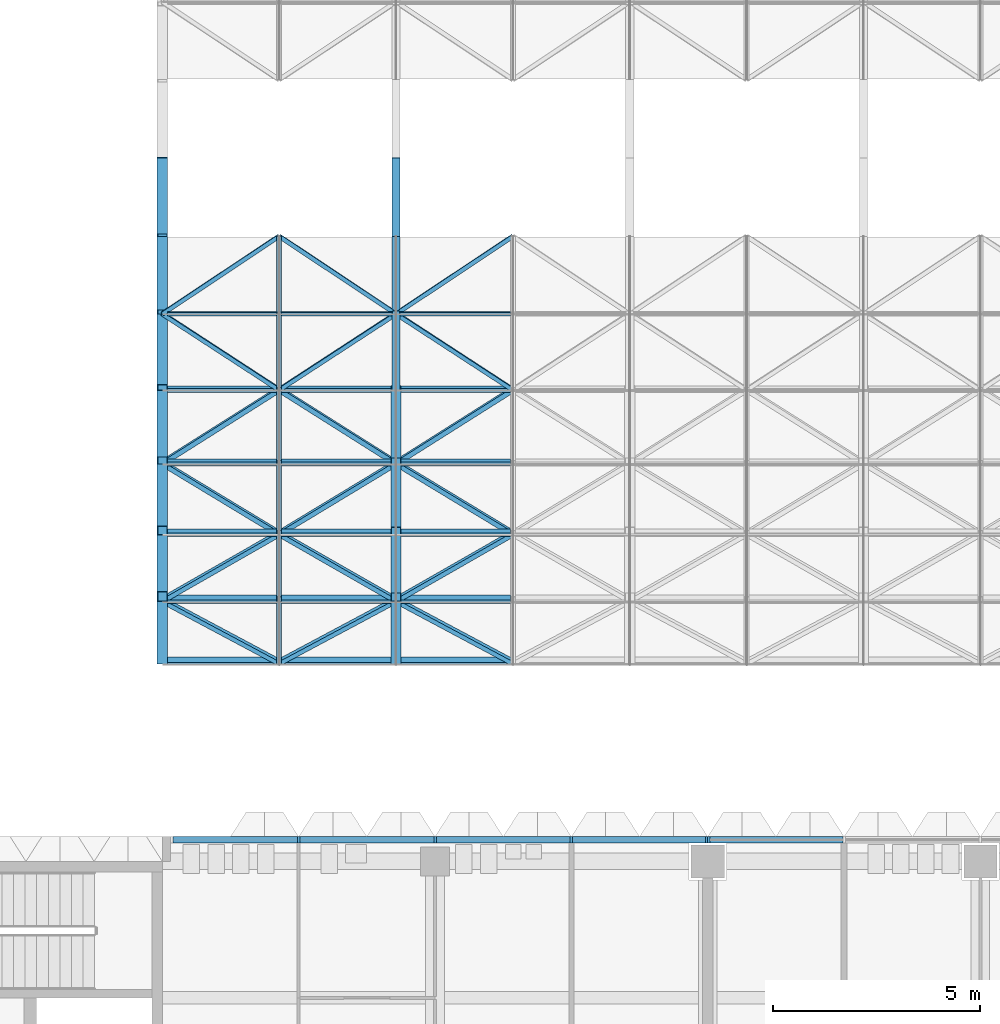
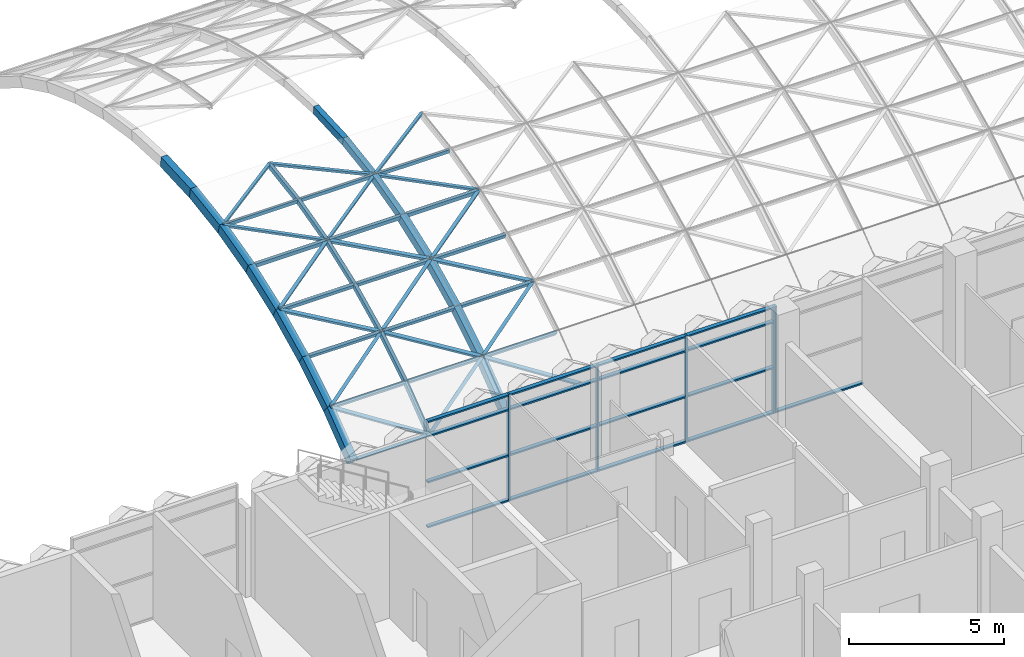
# One storey, part 10 of 85: 78 members, 2 elements without a shape of their own.
"""IFC4 building model written with IfcOpenShell, lengths in metres."""

from ifc_helpers import new_model, si_unit, direction, frame, origin, origin_2d, place, context, subcontext, project, spatial, rectangle, hollow_rectangle, extrude, material, material_profile, profile_set, type_object, element, aggregate, save


model = new_model("IFC4")

# Units and contexts
model_context = context("Model", 3, precision=1e-05, world=origin(), true_north=direction((0.0, 1.0)))
body_context = subcontext(model_context, "Body", "Model", "MODEL_VIEW")
ifc_project = project(units=[si_unit("LENGTHUNIT", "METRE"), si_unit("AREAUNIT", "SQUARE_METRE"), si_unit("VOLUMEUNIT", "CUBIC_METRE"), si_unit("PLANEANGLEUNIT", "RADIAN"), si_unit("MASSUNIT", "GRAM", prefix="KILO")], contexts=[model_context])

# Site, building, storey
site_placement = place(None, origin())
site = spatial("IfcSite", under=ifc_project, at=site_placement, CompositionType="ELEMENT")
building_placement = place(site_placement, origin())
building = spatial("IfcBuilding", under=site, at=building_placement, Name="Lantern Court Research Institute", CompositionType="ELEMENT")
storey_placement = place(building_placement, frame((0.0, 0.0, 18.89990234375)))
storey = spatial("IfcBuildingStorey", under=building, at=storey_placement, Name="L04", CompositionType="ELEMENT", Elevation=18.89990234375)

# Members
ifc_material_1 = material(Name="Structural steel S355", Category="steel")
ifc_material_profile_1 = material_profile(ifc_material_1, hollow_rectangle(XDim=0.25, YDim=0.39990234375, WallThickness=0.01611328125, at=origin_2d()), Name="Gable arch RHS 400 x 250 x 16")
ifc_profile_set_1 = profile_set([ifc_material_profile_1], Name="Structural steel S355")
member_type_1 = type_object("IfcMemberType", Name="Gable arch RHS 400 x 250 x 16", PredefinedType="RAFTER", material=ifc_profile_set_1)
member_1_placement = place(storey_placement, frame((39.60009765625, 28.000244140625, 0.037109375), z_axis=(0.0, 0.793329505358, 0.608792490039), x_axis=(-1.0, 0.0, 0.0)))
element("IfcMember", 1, at=member_1_placement, inside=storey, type_object=member_type_1, Name="Gable arch", PredefinedType="RAFTER", context=body_context, shape_type="SweptSolid", body=[
    extrude(hollow_rectangle(XDim=0.25, YDim=0.39990234375, WallThickness=0.01611328125, at=origin_2d()), origin(), (0.0, 0.0, 1.0), 1.90234375),
])
member_2_placement = place(storey_placement, frame((39.60009765625, 29.492919921875, 1.183837890625), z_axis=(0.0, 0.850497510265, 0.525979072809), x_axis=(-1.0, 0.0, 0.0)))
element("IfcMember", 2, at=member_2_placement, inside=storey, type_object=member_type_1, Name="Gable arch", PredefinedType="RAFTER", context=body_context, shape_type="SweptSolid", body=[
    extrude(hollow_rectangle(XDim=0.25, YDim=0.39990234375, WallThickness=0.01611328125, at=origin_2d()), origin(), (0.0, 0.0, 1.0), 1.902587890625),
])
member_3_placement = place(storey_placement, frame((39.60009765625, 31.09326171875, 2.1748046875), z_axis=(0.0, 0.899099966644, 0.437743360865), x_axis=(-1.0, 0.0, 0.0)))
element("IfcMember", 3, at=member_3_placement, inside=storey, type_object=member_type_1, Name="Gable arch", PredefinedType="RAFTER", context=body_context, shape_type="SweptSolid", body=[
    extrude(hollow_rectangle(XDim=0.25, YDim=0.39990234375, WallThickness=0.01611328125, at=origin_2d()), origin(), (0.0, 0.0, 1.0), 1.90234375),
])
for number, where, z_axis, x_axis, name in (
    (4, (39.60009765625, 32.78515625, 2.999755859375), (0.0, 0.938535764551, 0.345182008018), (-1.0, 0.0, 0.0), "Gable arch"),
    (5, (39.60009765625, 34.551513671875, 3.650390625), (0.0, 0.968482319701, 0.249082308538), (-1.0, 0.0, 0.0), "Gable arch"),
    (6, (39.60009765625, 36.374267578125, 4.120361328125), (0.0, 0.988606386846, 0.150523791767), (-1.0, 0.0, 0.0), "Gable arch"),
):
    element("IfcMember", number, at=place(storey_placement, frame(where, z_axis=z_axis, x_axis=x_axis)), inside=storey, type_object=member_type_1, Name=name, PredefinedType="RAFTER", context=body_context, shape_type="SweptSolid", body=[
        extrude(hollow_rectangle(XDim=0.25, YDim=0.39990234375, WallThickness=0.01611328125, at=origin_2d()), origin(), (0.0, 0.0, 1.0), 1.902587890625),
    ])
member_4_placement = place(storey_placement, frame((39.60009765625, 38.235107421875, 4.404541015625), z_axis=(0.0, 0.998733707136, 0.050308868311), x_axis=(-1.0, 0.0, 0.0)))
element("IfcMember", 7, at=member_4_placement, inside=storey, type_object=member_type_1, Name="Gable arch", PredefinedType="RAFTER", context=body_context, shape_type="SweptSolid", body=[
    extrude(hollow_rectangle(XDim=0.25, YDim=0.39990234375, WallThickness=0.01611328125, at=origin_2d()), origin(), (0.0, 0.0, 1.0), 1.90234375),
])
ifc_material_2 = material(Name="Structural steel S355", Category="steel")
ifc_material_profile_2 = material_profile(ifc_material_2, hollow_rectangle(XDim=0.080078125, YDim=0.159912109375, WallThickness=0.00634765625, at=origin_2d()), Name="Gridshell crown purlin RHS 160 x 80 x 6.3")
ifc_profile_set_2 = profile_set([ifc_material_profile_2], Name="Structural steel S355")
member_type_2 = type_object("IfcMemberType", Name="Gridshell crown purlin RHS 160 x 80 x 6.3", PredefinedType="PURLIN", material=ifc_profile_set_2)
member_5_placement = place(storey_placement, frame((39.72509765625, 36.360107421875, 4.23974609375), z_axis=(1.0, 0.0, 0.0), x_axis=(0.0, 0.979787176632, 0.200042716708)))
element("IfcMember", 8, at=member_5_placement, inside=storey, type_object=member_type_2, Name="Gridshell purlin", PredefinedType="PURLIN", context=body_context, shape_type="SweptSolid", body=[
    extrude(hollow_rectangle(XDim=0.080078125, YDim=0.159912109375, WallThickness=0.00634765625, at=origin_2d()), origin(), (0.0, 0.0, 1.0), 2.6435546875),
])
member_6_placement = place(storey_placement, frame((42.488525390625, 36.360107421875, 4.23974609375), z_axis=(1.0, 0.0, 0.0), x_axis=(0.0, 0.979787176632, 0.200042716708)))
element("IfcMember", 9, at=member_6_placement, inside=storey, type_object=member_type_2, Name="Gridshell purlin", PredefinedType="PURLIN", context=body_context, shape_type="SweptSolid", body=[
    extrude(hollow_rectangle(XDim=0.080078125, YDim=0.159912109375, WallThickness=0.00634765625, at=origin_2d()), origin(), (0.0, 0.0, 1.0), 2.668701171875),
])
member_7_placement = place(storey_placement, frame((45.357177734375, 36.360107421875, 4.23974609375), z_axis=(1.0, 0.0, 0.0), x_axis=(0.0, 0.979787176632, 0.200042716708)))
element("IfcMember", 10, at=member_7_placement, inside=storey, type_object=member_type_2, Name="Gridshell purlin", PredefinedType="PURLIN", context=body_context, shape_type="SweptSolid", body=[
    extrude(hollow_rectangle(XDim=0.080078125, YDim=0.159912109375, WallThickness=0.00634765625, at=origin_2d()), origin(), (0.0, 0.0, 1.0), 2.66845703125),
])
ifc_material_3 = material(Name="Structural steel S355", Category="steel")
ifc_material_profile_3 = material_profile(ifc_material_3, hollow_rectangle(XDim=0.199951171875, YDim=0.300048828125, WallThickness=0.012451171875, at=origin_2d()), Name="Gridshell crown rib RHS 300 x 200 x 12.5")
ifc_profile_set_3 = profile_set([ifc_material_profile_3], Name="Structural steel S355")
member_type_3 = type_object("IfcMemberType", Name="Gridshell crown rib RHS 300 x 200 x 12.5", PredefinedType="RAFTER", material=ifc_profile_set_3)
for number, where, z_axis, x_axis, name in (
    (11, (45.257080078125, 34.5390625, 3.698974609375), (0.0, 0.968482319701, 0.249082308538), (-1.0, 0.0, 0.0), "Gridshell rib"),
    (12, (45.257080078125, 36.36669921875, 4.169677734375), (0.0, 0.988606386846, 0.150523791767), (-1.0, 0.0, 0.0), "Gridshell rib"),
    (13, (45.257080078125, 38.232421875, 4.45458984375), (0.0, 0.998734031897, 0.050302420725), (-1.0, 0.0, 0.0), "Gridshell rib"),
):
    element("IfcMember", number, at=place(storey_placement, frame(where, z_axis=z_axis, x_axis=x_axis)), inside=storey, type_object=member_type_3, Name=name, PredefinedType="RAFTER", context=body_context, shape_type="SweptSolid", body=[
        extrude(hollow_rectangle(XDim=0.199951171875, YDim=0.300048828125, WallThickness=0.012451171875, at=origin_2d()), origin(), (0.0, 0.0, 1.0), 1.902587890625),
    ])
ifc_material_4 = material(Name="Structural steel S355", Category="steel")
ifc_material_profile_4 = material_profile(ifc_material_4, hollow_rectangle(XDim=0.10009765625, YDim=0.10009765625, WallThickness=0.00634765625, at=origin_2d()), Name="Gridshell diagonal RHS 100 x 100 x 6.3")
ifc_profile_set_4 = profile_set([ifc_material_profile_4], Name="Structural steel S355")
member_type_4 = type_object("IfcMemberType", Name="Gridshell diagonal RHS 100 x 100 x 6.3", PredefinedType="BRACE", material=ifc_profile_set_4)
for number, where, z_axis, x_axis, name in (
    (14, (42.428466796875, 34.51416015625, 3.795654296875), (-0.829753310349, 0.540539338213, 0.139020386309), (-0.558130310777, -0.803595810166, -0.20669864556), "Gridshell diagonal"),
    (15, (39.60009765625, 36.351806640625, 4.2685546875), (0.829780025572, 0.551730300991, 0.084016570565), (-0.558090591389, 0.820331795055, 0.124862475647), "Gridshell diagonal"),
):
    element("IfcMember", number, at=place(storey_placement, frame(where, z_axis=z_axis, x_axis=x_axis)), inside=storey, type_object=member_type_4, Name=name, PredefinedType="BRACE", context=body_context, shape_type="SweptSolid", body=[
        extrude(hollow_rectangle(XDim=0.10009765625, YDim=0.10009765625, WallThickness=0.00634765625, at=origin_2d()), origin(), (0.0, 0.0, 1.0), 3.40869140625),
    ])
member_8_placement = place(storey_placement, frame((42.428466796875, 34.51416015625, 3.795654296875), z_axis=(0.829775619624, 0.540507215717, 0.139012124779), x_axis=(-0.558097142967, 0.803618783295, 0.206698887629)))
element("IfcMember", 16, at=member_8_placement, inside=storey, type_object=member_type_4, Name="Gridshell diagonal", PredefinedType="BRACE", context=body_context, shape_type="SweptSolid", body=[
    extrude(hollow_rectangle(XDim=0.10009765625, YDim=0.10009765625, WallThickness=0.00634765625, at=origin_2d()), origin(), (0.0, 0.0, 1.0), 3.408935546875),
])
member_9_placement = place(storey_placement, frame((45.257080078125, 36.351806640625, 4.2685546875), z_axis=(-0.82980233239, 0.551697511341, 0.084011577412), x_axis=(-0.558057423637, -0.82035435083, -0.124862528398)))
element("IfcMember", 17, at=member_9_placement, inside=storey, type_object=member_type_4, Name="Gridshell diagonal", PredefinedType="BRACE", context=body_context, shape_type="SweptSolid", body=[
    extrude(hollow_rectangle(XDim=0.10009765625, YDim=0.10009765625, WallThickness=0.00634765625, at=origin_2d()), origin(), (0.0, 0.0, 1.0), 3.40869140625),
])
member_10_placement = place(storey_placement, frame((48.085693359375, 34.51416015625, 3.795654296875), z_axis=(-0.829775619624, 0.540507215717, 0.139012124779), x_axis=(-0.558097142967, -0.803618783295, -0.206698887629)))
element("IfcMember", 18, at=member_10_placement, inside=storey, type_object=member_type_4, Name="Gridshell diagonal", PredefinedType="BRACE", context=body_context, shape_type="SweptSolid", body=[
    extrude(hollow_rectangle(XDim=0.10009765625, YDim=0.10009765625, WallThickness=0.00634765625, at=origin_2d()), origin(), (0.0, 0.0, 1.0), 3.408935546875),
])
member_11_placement = place(storey_placement, frame((45.257080078125, 36.351806640625, 4.2685546875), z_axis=(0.82980233239, 0.551697511341, 0.084011577412), x_axis=(-0.558057423637, 0.82035435083, 0.124862528398)))
element("IfcMember", 19, at=member_11_placement, inside=storey, type_object=member_type_4, Name="Gridshell diagonal", PredefinedType="BRACE", context=body_context, shape_type="SweptSolid", body=[
    extrude(hollow_rectangle(XDim=0.10009765625, YDim=0.10009765625, WallThickness=0.00634765625, at=origin_2d()), origin(), (0.0, 0.0, 1.0), 3.40869140625),
])
ifc_material_5 = material(Name="Structural steel S355", Category="steel")
ifc_material_profile_5 = material_profile(ifc_material_5, hollow_rectangle(XDim=0.1201171875, YDim=0.1201171875, WallThickness=0.008056640625, at=origin_2d()), Name="Gridshell haunch diagonal RHS 120 x 120 x 8")
ifc_profile_set_5 = profile_set([ifc_material_profile_5], Name="Structural steel S355")
member_type_5 = type_object("IfcMemberType", Name="Gridshell haunch diagonal RHS 120 x 120 x 8", PredefinedType="BRACE", material=ifc_profile_set_5)
for number, where, z_axis, x_axis, name in (
    (20, (42.428466796875, 27.9150390625, 0.148193359375), (-0.829757630752, 0.442776147891, 0.339781631445), (-0.558123887656, -0.658254466927, -0.505172032874), "Gridshell diagonal"),
    (21, (39.60009765625, 29.419189453125, 1.302978515625), (0.829754804392, 0.474718588132, 0.293511885058), (-0.55812808698, 0.705699457062, 0.436441651113), "Gridshell diagonal"),
    (22, (42.428466796875, 31.031982421875, 2.300537109375), (-0.829750990554, 0.50178985238, 0.244377244693), (-0.558133759376, -0.746001196046, -0.363275270481), "Gridshell diagonal"),
    (23, (39.60009765625, 32.73681640625, 3.131103515625), (0.829740528308, 0.523843092278, 0.19266310066), (-0.558149312823, 0.778730842923, 0.28643955536), "Gridshell diagonal"),
):
    element("IfcMember", number, at=place(storey_placement, frame(where, z_axis=z_axis, x_axis=x_axis)), inside=storey, type_object=member_type_5, Name=name, PredefinedType="BRACE", context=body_context, shape_type="SweptSolid", body=[
        extrude(hollow_rectangle(XDim=0.1201171875, YDim=0.1201171875, WallThickness=0.008056640625, at=origin_2d()), origin(), (0.0, 0.0, 1.0), 3.40869140625),
    ])
for number, where, z_axis, x_axis, name in (
    (24, (42.428466796875, 27.9150390625, 0.148193359375), (0.82977993963, 0.442749834869, 0.339761439117), (-0.558090719968, 0.658279580966, 0.505175951099), "Gridshell diagonal"),
    (25, (45.257080078125, 29.419189453125, 1.302978515625), (-0.82977711353, 0.474690377048, 0.293494442538), (-0.558094919699, -0.705724175305, -0.436444096072), "Gridshell diagonal"),
    (26, (42.428466796875, 31.031982421875, 2.300537109375), (0.829773300042, 0.501760032806, 0.244362722229), (-0.558100591295, 0.746025342522, 0.363276641571), "Gridshell diagonal"),
    (27, (45.257080078125, 32.73681640625, 3.131103515625), (-0.829762838758, 0.523811962945, 0.192651651671), (-0.558116144955, -0.778754373318, -0.286440211525), "Gridshell diagonal"),
    (28, (48.085693359375, 27.9150390625, 0.148193359375), (-0.82977993963, 0.442749834869, 0.339761439117), (-0.558090719968, -0.658279580966, -0.505175951099), "Gridshell diagonal"),
    (29, (45.257080078125, 29.419189453125, 1.302978515625), (0.82977711353, 0.474690377048, 0.293494442538), (-0.558094919699, 0.705724175305, 0.436444096072), "Gridshell diagonal"),
    (30, (48.085693359375, 31.031982421875, 2.300537109375), (-0.829773300042, 0.501760032806, 0.244362722229), (-0.558100591295, -0.746025342522, -0.363276641571), "Gridshell diagonal"),
    (31, (45.257080078125, 32.73681640625, 3.131103515625), (0.829762838758, 0.523811962945, 0.192651651671), (-0.558116144955, 0.778754373318, 0.286440211525), "Gridshell diagonal"),
):
    element("IfcMember", number, at=place(storey_placement, frame(where, z_axis=z_axis, x_axis=x_axis)), inside=storey, type_object=member_type_5, Name=name, PredefinedType="BRACE", context=body_context, shape_type="SweptSolid", body=[
        extrude(hollow_rectangle(XDim=0.1201171875, YDim=0.1201171875, WallThickness=0.008056640625, at=origin_2d()), origin(), (0.0, 0.0, 1.0), 3.408935546875),
    ])
ifc_material_6 = material(Name="Structural steel S355", Category="steel")
ifc_material_profile_6 = material_profile(ifc_material_6, hollow_rectangle(XDim=0.25, YDim=0.35009765625, WallThickness=0.01611328125, at=origin_2d()), Name="Gridshell haunch rib RHS 350 x 250 x 16")
ifc_profile_set_6 = profile_set([ifc_material_profile_6], Name="Structural steel S355")
member_type_6 = type_object("IfcMemberType", Name="Gridshell haunch rib RHS 350 x 250 x 16", PredefinedType="RAFTER", material=ifc_profile_set_6)
member_12_placement = place(storey_placement, frame((45.257080078125, 27.985107421875, 0.056884765625), z_axis=(0.0, 0.793329505358, 0.608792490039), x_axis=(-1.0, 0.0, 0.0)))
element("IfcMember", 32, at=member_12_placement, inside=storey, type_object=member_type_6, Name="Gridshell rib", PredefinedType="RAFTER", context=body_context, shape_type="SweptSolid", body=[
    extrude(hollow_rectangle(XDim=0.25, YDim=0.35009765625, WallThickness=0.01611328125, at=origin_2d()), origin(), (0.0, 0.0, 1.0), 1.90234375),
])
member_13_placement = place(storey_placement, frame((45.257080078125, 29.479736328125, 1.205078125), z_axis=(0.0, 0.850497510265, 0.525979072809), x_axis=(-1.0, 0.0, 0.0)))
element("IfcMember", 33, at=member_13_placement, inside=storey, type_object=member_type_6, Name="Gridshell rib", PredefinedType="RAFTER", context=body_context, shape_type="SweptSolid", body=[
    extrude(hollow_rectangle(XDim=0.25, YDim=0.35009765625, WallThickness=0.01611328125, at=origin_2d()), origin(), (0.0, 0.0, 1.0), 1.902587890625),
])
for number, where, z_axis, x_axis, name in (
    (34, (45.257080078125, 31.082275390625, 2.197265625), (0.0, 0.899099966644, 0.437743360865), (-1.0, 0.0, 0.0), "Gridshell rib"),
    (35, (45.257080078125, 32.776611328125, 3.023193359375), (0.0, 0.938520472327, 0.345223584105), (-1.0, 0.0, 0.0), "Gridshell rib"),
):
    element("IfcMember", number, at=place(storey_placement, frame(where, z_axis=z_axis, x_axis=x_axis)), inside=storey, type_object=member_type_6, Name=name, PredefinedType="RAFTER", context=body_context, shape_type="SweptSolid", body=[
        extrude(hollow_rectangle(XDim=0.25, YDim=0.35009765625, WallThickness=0.01611328125, at=origin_2d()), origin(), (0.0, 0.0, 1.0), 1.90234375),
    ])
ifc_material_7 = material(Name="Structural steel S355", Category="steel")
ifc_material_profile_7 = material_profile(ifc_material_7, hollow_rectangle(XDim=0.10009765625, YDim=0.199951171875, WallThickness=0.008056640625, at=origin_2d()), Name="Gridshell purlin RHS 200 x 100 x 8")
ifc_profile_set_7 = profile_set([ifc_material_profile_7], Name="Structural steel S355")
member_type_7 = type_object("IfcMemberType", Name="Gridshell purlin RHS 200 x 100 x 8", PredefinedType="PURLIN", material=ifc_profile_set_7)
for number, where, z_axis, x_axis, name in (
    (36, (39.72509765625, 27.943359375, 0.11962890625), (1.0, 0.0, 0.0), (0.0, 0.761672913152, 0.647961706717), "Gridshell purlin"),
    (37, (42.488525390625, 27.943359375, 0.11962890625), (1.0, 0.0, 0.0), (0.0, 0.761672913152, 0.647961706717), "Gridshell purlin"),
    (38, (45.382080078125, 27.943359375, 0.11962890625), (1.0, 0.0, 0.0), (0.0, 0.761672913152, 0.647961706717), "Gridshell purlin"),
    (39, (39.72509765625, 29.444580078125, 1.271728515625), (1.0, 0.0, 0.0), (0.0, 0.822954255966, 0.568107641726), "Gridshell purlin"),
    (40, (42.488525390625, 29.444580078125, 1.271728515625), (1.0, 0.0, 0.0), (0.0, 0.822954255966, 0.568107641726), "Gridshell purlin"),
    (41, (45.382080078125, 29.444580078125, 1.271728515625), (1.0, 0.0, 0.0), (0.0, 0.822954255966, 0.568107641726), "Gridshell purlin"),
    (42, (39.72509765625, 31.053955078125, 2.266845703125), (1.0, 0.0, 0.0), (0.0, 0.875897373228, 0.482497452399), "Gridshell purlin"),
    (43, (42.488525390625, 31.053955078125, 2.266845703125), (1.0, 0.0, 0.0), (0.0, 0.875897373228, 0.482497452399), "Gridshell purlin"),
    (44, (45.382080078125, 31.053955078125, 2.266845703125), (1.0, 0.0, 0.0), (0.0, 0.875897373228, 0.482497452399), "Gridshell purlin"),
    (45, (39.72509765625, 32.75537109375, 3.095458984375), (1.0, 0.0, 0.0), (0.0, 0.919965822984, 0.391998577219), "Gridshell purlin"),
    (46, (42.488525390625, 32.75537109375, 3.095458984375), (1.0, 0.0, 0.0), (0.0, 0.919965822984, 0.391998577219), "Gridshell purlin"),
    (47, (45.382080078125, 32.75537109375, 3.095458984375), (1.0, 0.0, 0.0), (0.0, 0.919965822984, 0.391998577219), "Gridshell purlin"),
    (48, (39.72509765625, 34.531494140625, 3.748779296875), (1.0, 0.0, 0.0), (0.0, 0.954713115517, 0.29752792652), "Gridshell purlin"),
    (49, (42.488525390625, 34.531494140625, 3.748779296875), (1.0, 0.0, 0.0), (0.0, 0.954713115517, 0.29752792652), "Gridshell purlin"),
    (50, (45.382080078125, 34.531494140625, 3.748779296875), (1.0, 0.0, 0.0), (0.0, 0.954713115517, 0.29752792652), "Gridshell purlin"),
):
    element("IfcMember", number, at=place(storey_placement, frame(where, z_axis=z_axis, x_axis=x_axis)), inside=storey, type_object=member_type_7, Name=name, PredefinedType="PURLIN", context=body_context, shape_type="SweptSolid", body=[
        extrude(hollow_rectangle(XDim=0.10009765625, YDim=0.199951171875, WallThickness=0.008056640625, at=origin_2d()), origin(), (0.0, 0.0, 1.0), 2.6435546875),
    ])
ifc_material_8 = material(Name="Structural steel S355", Category="steel")
ifc_material_profile_8 = material_profile(ifc_material_8, hollow_rectangle(XDim=0.1201171875, YDim=0.199951171875, WallThickness=0.008056640625, at=origin_2d()), Name="Gridshell secondary rib RHS 200 x 120 x 8")
ifc_profile_set_8 = profile_set([ifc_material_profile_8], Name="Structural steel S355")
member_type_8 = type_object("IfcMemberType", Name="Gridshell secondary rib RHS 200 x 120 x 8", PredefinedType="RAFTER", material=ifc_profile_set_8)
for number, where, z_axis, x_axis, name in (
    (51, (42.428466796875, 27.939453125, 0.116455078125), (0.0, 0.793329505358, 0.608792490039), (-1.0, 0.0, 0.0), "Gridshell secondary rib"),
    (52, (42.428466796875, 29.4404296875, 1.268798828125), (0.0, 0.850462004525, 0.526036480541), (-1.0, 0.0, 0.0), "Gridshell secondary rib"),
):
    element("IfcMember", number, at=place(storey_placement, frame(where, z_axis=z_axis, x_axis=x_axis)), inside=storey, type_object=member_type_8, Name=name, PredefinedType="RAFTER", context=body_context, shape_type="SweptSolid", body=[
        extrude(hollow_rectangle(XDim=0.1201171875, YDim=0.199951171875, WallThickness=0.008056640625, at=origin_2d()), origin(), (0.0, 0.0, 1.0), 1.90234375),
    ])
member_14_placement = place(storey_placement, frame((42.428466796875, 31.049560546875, 2.2646484375), z_axis=(0.0, 0.899049454889, 0.437847093931), x_axis=(-1.0, 0.0, 0.0)))
element("IfcMember", 53, at=member_14_placement, inside=storey, type_object=member_type_8, Name="Gridshell secondary rib", PredefinedType="RAFTER", context=body_context, shape_type="SweptSolid", body=[
    extrude(hollow_rectangle(XDim=0.1201171875, YDim=0.199951171875, WallThickness=0.008056640625, at=origin_2d()), origin(), (0.0, 0.0, 1.0), 1.902587890625),
])
member_15_placement = place(storey_placement, frame((42.428466796875, 32.750732421875, 3.093505859375), z_axis=(0.0, 0.938520472327, 0.345223584105), x_axis=(-1.0, 0.0, 0.0)))
element("IfcMember", 54, at=member_15_placement, inside=storey, type_object=member_type_8, Name="Gridshell secondary rib", PredefinedType="RAFTER", context=body_context, shape_type="SweptSolid", body=[
    extrude(hollow_rectangle(XDim=0.1201171875, YDim=0.199951171875, WallThickness=0.008056640625, at=origin_2d()), origin(), (0.0, 0.0, 1.0), 1.90234375),
])
for number, where, z_axis, x_axis, name in (
    (55, (42.428466796875, 34.526611328125, 3.747314453125), (0.0, 0.968482319701, 0.249082308538), (-1.0, 0.0, 0.0), "Gridshell secondary rib"),
    (56, (42.428466796875, 36.359130859375, 4.21923828125), (0.0, 0.988625474964, 0.15039837184), (-1.0, 0.0, 0.0), "Gridshell secondary rib"),
):
    element("IfcMember", number, at=place(storey_placement, frame(where, z_axis=z_axis, x_axis=x_axis)), inside=storey, type_object=member_type_8, Name=name, PredefinedType="RAFTER", context=body_context, shape_type="SweptSolid", body=[
        extrude(hollow_rectangle(XDim=0.1201171875, YDim=0.199951171875, WallThickness=0.008056640625, at=origin_2d()), origin(), (0.0, 0.0, 1.0), 1.902587890625),
    ])

# Curtain wall, members
ifc_material_9 = material(Name="Aluminium alloy 6063-T6", Category="aluminium")
curtain_wall_type_1 = type_object("IfcCurtainWallType", Name="Curtain wall 13000 x 4200 x 150 aluminium frame", PredefinedType="NOTDEFINED", material=ifc_material_9)
curtain_wall_1_placement = place(storey_placement, origin())
curtain_wall_1 = element("IfcCurtainWall", 57, at=curtain_wall_1_placement, inside=storey, type_object=curtain_wall_type_1, Name="Curtain wall CW062", PredefinedType="NOTDEFINED")
ifc_material_10 = material(Name="Aluminium alloy 6063-T6", Category="aluminium")
ifc_material_profile_9 = material_profile(ifc_material_10, rectangle(XDim=0.14990234375, YDim=0.06005859375, at=origin_2d()), Name="Mullion 150 x 60")
ifc_profile_set_9 = profile_set([ifc_material_profile_9], Name="Aluminium alloy 6063-T6")
member_type_9 = type_object("IfcMemberType", Name="Mullion 150 x 60 aluminium", PredefinedType="MULLION", material=ifc_profile_set_9)
member_16_placement = place(storey_placement, frame((42.89990234375, 23.625, 0.0), z_axis=(0.0, 0.0, 1.0), x_axis=(0.0, 1.0, 0.0)))
member_16 = element("IfcMember", 58, at=member_16_placement, type_object=member_type_9, Name="CW062 mullion 2", PredefinedType="MULLION", context=body_context, shape_type="SweptSolid", body=[
    extrude(rectangle(XDim=0.14990234375, YDim=0.06005859375, at=origin_2d()), origin(), (0.0, 0.0, 1.0), 4.2001953125),
])
member_17_placement = place(storey_placement, frame((46.199951171875, 23.625, 0.0), z_axis=(0.0, 0.0, 1.0), x_axis=(0.0, 1.0, 0.0)))
member_17 = element("IfcMember", 59, at=member_17_placement, type_object=member_type_9, Name="CW062 mullion 3", PredefinedType="MULLION", context=body_context, shape_type="SweptSolid", body=[
    extrude(rectangle(XDim=0.14990234375, YDim=0.06005859375, at=origin_2d()), origin(), (0.0, 0.0, 1.0), 4.2001953125),
])
member_18_placement = place(storey_placement, frame((49.5, 23.625, 0.0), z_axis=(0.0, 0.0, 1.0), x_axis=(0.0, 1.0, 0.0)))
member_18 = element("IfcMember", 60, at=member_18_placement, type_object=member_type_9, Name="CW062 mullion 4", PredefinedType="MULLION", context=body_context, shape_type="SweptSolid", body=[
    extrude(rectangle(XDim=0.14990234375, YDim=0.06005859375, at=origin_2d()), origin(), (0.0, 0.0, 1.0), 4.2001953125),
])
member_19_placement = place(storey_placement, frame((52.77001953125, 23.625, 0.0), z_axis=(0.0, 0.0, 1.0), x_axis=(0.0, 1.0, 0.0)))
member_19 = element("IfcMember", 61, at=member_19_placement, type_object=member_type_9, Name="CW062 mullion 5", PredefinedType="MULLION", context=body_context, shape_type="SweptSolid", body=[
    extrude(rectangle(XDim=0.14990234375, YDim=0.06005859375, at=origin_2d()), origin(), (0.0, 0.0, 1.0), 4.2001953125),
])

# Curtain wall, member
ifc_material_11 = material(Name="Aluminium alloy 6063-T6", Category="aluminium")
curtain_wall_type_2 = type_object("IfcCurtainWallType", Name="Curtain wall 19600 x 4200 x 150 aluminium frame", PredefinedType="NOTDEFINED", material=ifc_material_11)
curtain_wall_2_placement = place(storey_placement, origin())
curtain_wall_2 = element("IfcCurtainWall", 62, at=curtain_wall_2_placement, inside=storey, type_object=curtain_wall_type_2, Name="Curtain wall CW066", PredefinedType="NOTDEFINED")
member_20_placement = place(storey_placement, frame((52.830078125, 23.625, 0.0), z_axis=(0.0, 0.0, 1.0), x_axis=(0.0, 1.0, 0.0)))
member_20 = element("IfcMember", 63, at=member_20_placement, type_object=member_type_9, Name="CW066 mullion 1", PredefinedType="MULLION", context=body_context, shape_type="SweptSolid", body=[
    extrude(rectangle(XDim=0.14990234375, YDim=0.06005859375, at=origin_2d()), origin(), (0.0, 0.0, 1.0), 4.2001953125),
])

# Member
ifc_material_12 = material(Name="Aluminium alloy 6063-T6", Category="aluminium")
ifc_material_profile_10 = material_profile(ifc_material_12, rectangle(XDim=0.14990234375, YDim=0.06005859375, at=origin_2d()), Name="Transom 150 x 60")
ifc_profile_set_10 = profile_set([ifc_material_profile_10], Name="Aluminium alloy 6063-T6")
member_type_10 = type_object("IfcMemberType", Name="Transom 150 x 60 aluminium", PredefinedType="USERDEFINED", material=ifc_profile_set_10)
member_21_placement = place(storey_placement, frame((39.860107421875, 23.625, 0.030029296875), z_axis=(1.0, 0.0, 0.0), x_axis=(0.0, 1.0, 0.0)))
member_21 = element("IfcMember", 64, at=member_21_placement, type_object=member_type_10, Name="CW062 transom 1.1", ObjectType="TRANSOM", PredefinedType="USERDEFINED", context=body_context, shape_type="SweptSolid", body=[
    extrude(rectangle(XDim=0.14990234375, YDim=0.06005859375, at=origin_2d()), origin(), (0.0, 0.0, 1.0), 3.010009765625),
])

member_22_placement = place(storey_placement, frame((39.860107421875, 23.625, 1.800048828125), z_axis=(1.0, 0.0, 0.0), x_axis=(0.0, 1.0, 0.0)))
member_22 = element("IfcMember", 65, at=member_22_placement, type_object=member_type_10, Name="CW062 transom 1.2", ObjectType="TRANSOM", PredefinedType="USERDEFINED", context=body_context, shape_type="SweptSolid", body=[
    extrude(rectangle(XDim=0.14990234375, YDim=0.06005859375, at=origin_2d()), origin(), (0.0, 0.0, 1.0), 3.010009765625),
])

member_23_placement = place(storey_placement, frame((39.860107421875, 23.625, 3.60009765625), z_axis=(1.0, 0.0, 0.0), x_axis=(0.0, 1.0, 0.0)))
member_23 = element("IfcMember", 66, at=member_23_placement, type_object=member_type_10, Name="CW062 transom 1.3", ObjectType="TRANSOM", PredefinedType="USERDEFINED", context=body_context, shape_type="SweptSolid", body=[
    extrude(rectangle(XDim=0.14990234375, YDim=0.06005859375, at=origin_2d()), origin(), (0.0, 0.0, 1.0), 3.010009765625),
])

member_24_placement = place(storey_placement, frame((39.860107421875, 23.625, 4.170166015625), z_axis=(1.0, 0.0, 0.0), x_axis=(0.0, 1.0, 0.0)))
member_24 = element("IfcMember", 67, at=member_24_placement, type_object=member_type_10, Name="CW062 transom 1.4", ObjectType="TRANSOM", PredefinedType="USERDEFINED", context=body_context, shape_type="SweptSolid", body=[
    extrude(rectangle(XDim=0.14990234375, YDim=0.06005859375, at=origin_2d()), origin(), (0.0, 0.0, 1.0), 3.010009765625),
])

member_25_placement = place(storey_placement, frame((42.929931640625, 23.625, 0.030029296875), z_axis=(1.0, 0.0, 0.0), x_axis=(0.0, 1.0, 0.0)))
member_25 = element("IfcMember", 68, at=member_25_placement, type_object=member_type_10, Name="CW062 transom 2.1", ObjectType="TRANSOM", PredefinedType="USERDEFINED", context=body_context, shape_type="SweptSolid", body=[
    extrude(rectangle(XDim=0.14990234375, YDim=0.06005859375, at=origin_2d()), origin(), (0.0, 0.0, 1.0), 3.239990234375),
])

member_26_placement = place(storey_placement, frame((42.929931640625, 23.625, 1.800048828125), z_axis=(1.0, 0.0, 0.0), x_axis=(0.0, 1.0, 0.0)))
member_26 = element("IfcMember", 69, at=member_26_placement, type_object=member_type_10, Name="CW062 transom 2.2", ObjectType="TRANSOM", PredefinedType="USERDEFINED", context=body_context, shape_type="SweptSolid", body=[
    extrude(rectangle(XDim=0.14990234375, YDim=0.06005859375, at=origin_2d()), origin(), (0.0, 0.0, 1.0), 3.239990234375),
])

member_27_placement = place(storey_placement, frame((42.929931640625, 23.625, 3.60009765625), z_axis=(1.0, 0.0, 0.0), x_axis=(0.0, 1.0, 0.0)))
member_27 = element("IfcMember", 70, at=member_27_placement, type_object=member_type_10, Name="CW062 transom 2.3", ObjectType="TRANSOM", PredefinedType="USERDEFINED", context=body_context, shape_type="SweptSolid", body=[
    extrude(rectangle(XDim=0.14990234375, YDim=0.06005859375, at=origin_2d()), origin(), (0.0, 0.0, 1.0), 3.239990234375),
])

member_28_placement = place(storey_placement, frame((42.929931640625, 23.625, 4.170166015625), z_axis=(1.0, 0.0, 0.0), x_axis=(0.0, 1.0, 0.0)))
member_28 = element("IfcMember", 71, at=member_28_placement, type_object=member_type_10, Name="CW062 transom 2.4", ObjectType="TRANSOM", PredefinedType="USERDEFINED", context=body_context, shape_type="SweptSolid", body=[
    extrude(rectangle(XDim=0.14990234375, YDim=0.06005859375, at=origin_2d()), origin(), (0.0, 0.0, 1.0), 3.239990234375),
])

member_29_placement = place(storey_placement, frame((46.22998046875, 23.625, 0.030029296875), z_axis=(1.0, 0.0, 0.0), x_axis=(0.0, 1.0, 0.0)))
member_29 = element("IfcMember", 72, at=member_29_placement, type_object=member_type_10, Name="CW062 transom 3.1", ObjectType="TRANSOM", PredefinedType="USERDEFINED", context=body_context, shape_type="SweptSolid", body=[
    extrude(rectangle(XDim=0.14990234375, YDim=0.06005859375, at=origin_2d()), origin(), (0.0, 0.0, 1.0), 3.239990234375),
])

member_30_placement = place(storey_placement, frame((46.22998046875, 23.625, 1.800048828125), z_axis=(1.0, 0.0, 0.0), x_axis=(0.0, 1.0, 0.0)))
member_30 = element("IfcMember", 73, at=member_30_placement, type_object=member_type_10, Name="CW062 transom 3.2", ObjectType="TRANSOM", PredefinedType="USERDEFINED", context=body_context, shape_type="SweptSolid", body=[
    extrude(rectangle(XDim=0.14990234375, YDim=0.06005859375, at=origin_2d()), origin(), (0.0, 0.0, 1.0), 3.239990234375),
])

member_31_placement = place(storey_placement, frame((46.22998046875, 23.625, 3.60009765625), z_axis=(1.0, 0.0, 0.0), x_axis=(0.0, 1.0, 0.0)))
member_31 = element("IfcMember", 74, at=member_31_placement, type_object=member_type_10, Name="CW062 transom 3.3", ObjectType="TRANSOM", PredefinedType="USERDEFINED", context=body_context, shape_type="SweptSolid", body=[
    extrude(rectangle(XDim=0.14990234375, YDim=0.06005859375, at=origin_2d()), origin(), (0.0, 0.0, 1.0), 3.239990234375),
])

member_32_placement = place(storey_placement, frame((46.22998046875, 23.625, 4.170166015625), z_axis=(1.0, 0.0, 0.0), x_axis=(0.0, 1.0, 0.0)))
member_32 = element("IfcMember", 75, at=member_32_placement, type_object=member_type_10, Name="CW062 transom 3.4", ObjectType="TRANSOM", PredefinedType="USERDEFINED", context=body_context, shape_type="SweptSolid", body=[
    extrude(rectangle(XDim=0.14990234375, YDim=0.06005859375, at=origin_2d()), origin(), (0.0, 0.0, 1.0), 3.239990234375),
])

member_33_placement = place(storey_placement, frame((49.530029296875, 23.625, 0.030029296875), z_axis=(1.0, 0.0, 0.0), x_axis=(0.0, 1.0, 0.0)))
member_33 = element("IfcMember", 76, at=member_33_placement, type_object=member_type_10, Name="CW062 transom 4.1", ObjectType="TRANSOM", PredefinedType="USERDEFINED", context=body_context, shape_type="SweptSolid", body=[
    extrude(rectangle(XDim=0.14990234375, YDim=0.06005859375, at=origin_2d()), origin(), (0.0, 0.0, 1.0), 3.2099609375),
])

member_34_placement = place(storey_placement, frame((49.530029296875, 23.625, 1.800048828125), z_axis=(1.0, 0.0, 0.0), x_axis=(0.0, 1.0, 0.0)))
member_34 = element("IfcMember", 77, at=member_34_placement, type_object=member_type_10, Name="CW062 transom 4.2", ObjectType="TRANSOM", PredefinedType="USERDEFINED", context=body_context, shape_type="SweptSolid", body=[
    extrude(rectangle(XDim=0.14990234375, YDim=0.06005859375, at=origin_2d()), origin(), (0.0, 0.0, 1.0), 3.2099609375),
])

member_35_placement = place(storey_placement, frame((49.530029296875, 23.625, 3.60009765625), z_axis=(1.0, 0.0, 0.0), x_axis=(0.0, 1.0, 0.0)))
member_35 = element("IfcMember", 78, at=member_35_placement, type_object=member_type_10, Name="CW062 transom 4.3", ObjectType="TRANSOM", PredefinedType="USERDEFINED", context=body_context, shape_type="SweptSolid", body=[
    extrude(rectangle(XDim=0.14990234375, YDim=0.06005859375, at=origin_2d()), origin(), (0.0, 0.0, 1.0), 3.2099609375),
])

member_36_placement = place(storey_placement, frame((49.530029296875, 23.625, 4.170166015625), z_axis=(1.0, 0.0, 0.0), x_axis=(0.0, 1.0, 0.0)))
member_36 = element("IfcMember", 79, at=member_36_placement, type_object=member_type_10, Name="CW062 transom 4.4", ObjectType="TRANSOM", PredefinedType="USERDEFINED", context=body_context, shape_type="SweptSolid", body=[
    extrude(rectangle(XDim=0.14990234375, YDim=0.06005859375, at=origin_2d()), origin(), (0.0, 0.0, 1.0), 3.2099609375),
])

aggregate(curtain_wall_1, [member_16, member_17, member_18, member_19, member_21, member_22, member_23, member_24, member_25, member_26, member_27, member_28, member_29, member_30, member_31, member_32, member_33, member_34, member_35, member_36])

member_37_placement = place(storey_placement, frame((52.860107421875, 23.625, 0.030029296875), z_axis=(1.0, 0.0, 0.0), x_axis=(0.0, 1.0, 0.0)))
member_37 = element("IfcMember", 80, at=member_37_placement, type_object=member_type_10, Name="CW066 transom 1.1", ObjectType="TRANSOM", PredefinedType="USERDEFINED", context=body_context, shape_type="SweptSolid", body=[
    extrude(rectangle(XDim=0.14990234375, YDim=0.06005859375, at=origin_2d()), origin(), (0.0, 0.0, 1.0), 3.2099609375),
])

aggregate(curtain_wall_2, [member_20, member_37])

save(model, "model.ifc")
